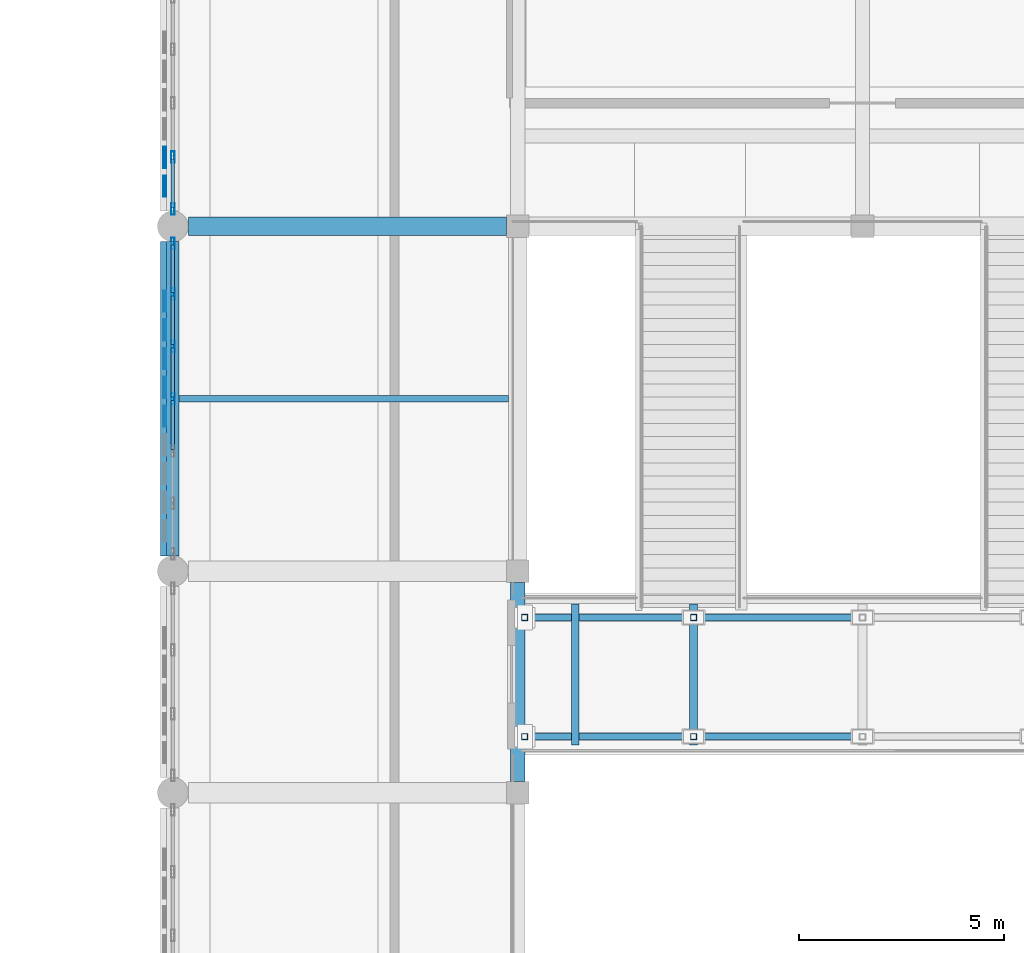
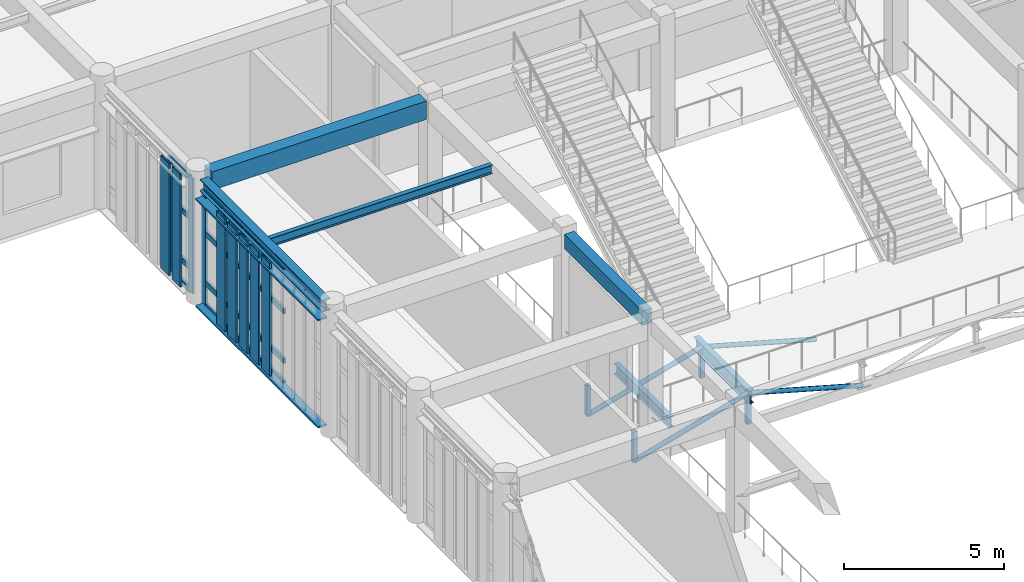
# One storey, part 32 of 106: 43 members, 6 beams, 2 elements without a shape of their own.
"""IFC4 building model written with IfcOpenShell, lengths in metres."""

from ifc_helpers import new_model, si_unit, direction, frame, origin, origin_2d, place, context, subcontext, project, spatial, rectangle, hollow_rectangle, hollow_circle, i_section, extrude, material, layer, layer_set, material_profile, profile_set, type_object, element, aggregate, save


model = new_model("IFC4")

# Units and contexts
model_context = context("Model", 3, precision=1e-05, world=origin(), true_north=direction((0.0, 1.0)))
body_context = subcontext(model_context, "Body", "Model", "MODEL_VIEW")
ifc_project = project(units=[si_unit("LENGTHUNIT", "METRE"), si_unit("AREAUNIT", "SQUARE_METRE"), si_unit("VOLUMEUNIT", "CUBIC_METRE"), si_unit("PLANEANGLEUNIT", "RADIAN"), si_unit("MASSUNIT", "GRAM", prefix="KILO")], contexts=[model_context])

# Site, building, storey
site_placement = place(None, origin())
site = spatial("IfcSite", under=ifc_project, at=site_placement, CompositionType="ELEMENT")
building_placement = place(site_placement, origin())
building = spatial("IfcBuilding", under=site, at=building_placement, Name="Krzemoval Escarpment Law Courts", CompositionType="ELEMENT")
storey_placement = place(building_placement, frame((0.0, 0.0, 5.10009765625)))
storey = spatial("IfcBuildingStorey", under=building, at=storey_placement, Name="L01", CompositionType="ELEMENT", Elevation=5.10009765625)

# Beams
ifc_material_1 = material(Name="Concrete C40/50", Category="concrete")
ifc_material_profile_1 = material_profile(ifc_material_1, rectangle(XDim=0.35009765625, YDim=0.550048828125, at=origin_2d()), Name="RCB 350x550")
ifc_profile_set_1 = profile_set([ifc_material_profile_1], Name="Concrete C40/50")
beam_type_1 = type_object("IfcBeamType", Name="BM-RC-350x550", PredefinedType="BEAM", material=ifc_profile_set_1)
beam_1_placement = place(storey_placement, frame((16.800048828125, 80.074951171875, 4.544921875), z_axis=(0.0, 1.0, 0.0), x_axis=(-1.0, 0.0, 0.0)))
element("IfcBeam", 1, at=beam_1_placement, inside=storey, type_object=beam_type_1, Name="Beam FG-L01-1404", PredefinedType="BEAM", context=body_context, shape_type="SweptSolid", body=[
    extrude(rectangle(XDim=0.35009765625, YDim=0.550048828125, at=origin_2d()), origin(), (0.0, 0.0, 1.0), 4.85009765625),
])
ifc_material_2 = material(Name="Concrete C40/50", Category="concrete")
ifc_material_profile_2 = material_profile(ifc_material_2, rectangle(XDim=0.449951171875, YDim=0.699951171875, at=origin_2d()), Name="RCB 450x700")
ifc_profile_set_2 = profile_set([ifc_material_profile_2], Name="Concrete C40/50")
beam_type_2 = type_object("IfcBeamType", Name="BM-RC-450x700", PredefinedType="BEAM", material=ifc_profile_set_2)
beam_2_placement = place(storey_placement, frame((8.77490234375, 93.60009765625, 4.469970703125), z_axis=(1.0, 0.0, 0.0), x_axis=(0.0, 1.0, 0.0)))
element("IfcBeam", 2, at=beam_2_placement, inside=storey, type_object=beam_type_2, Name="Beam FG-L01-1288", PredefinedType="BEAM", context=body_context, shape_type="SweptSolid", body=[
    extrude(rectangle(XDim=0.449951171875, YDim=0.699951171875, at=origin_2d()), origin(), (0.0, 0.0, 1.0), 7.75),
])
ifc_material_3 = material(Name="Steel S355", Category="steel")
ifc_material_profile_3 = material_profile(ifc_material_3, i_section(OverallWidth=0.179931640625, OverallDepth=0.39990234375, WebThickness=0.008544921875, FlangeThickness=0.013427734375, at=origin_2d()), Name="IPE 400")
ifc_profile_set_3 = profile_set([ifc_material_profile_3], Name="Steel S355")
beam_type_3 = type_object("IfcBeamType", Name="BM-S355-IPE400", PredefinedType="BEAM", material=ifc_profile_set_3)
beam_3_placement = place(storey_placement, frame((18.199951171875, 80.969970703125, -0.5), z_axis=(0.0, 1.0, 0.0), x_axis=(-1.0, 0.0, 0.0)))
element("IfcBeam", 3, at=beam_3_placement, inside=storey, type_object=beam_type_3, Name="Bridge Cross Beam BBMN-L01-01", PredefinedType="BEAM", context=body_context, shape_type="SweptSolid", body=[
    extrude(i_section(OverallWidth=0.179931640625, OverallDepth=0.39990234375, WebThickness=0.008544921875, FlangeThickness=0.013427734375, at=origin_2d()), origin(), (0.0, 0.0, 1.0), 3.429931640625),
])
ifc_material_4 = material(Name="Steel S355", Category="steel")
ifc_material_profile_4 = material_profile(ifc_material_4, i_section(OverallWidth=0.199951171875, OverallDepth=0.5, WebThickness=0.01025390625, FlangeThickness=0.01611328125, at=origin_2d()), Name="IPE 500")
ifc_profile_set_4 = profile_set([ifc_material_profile_4], Name="Steel S355")
beam_type_4 = type_object("IfcBeamType", Name="BM-S355-IPE500", PredefinedType="BEAM", material=ifc_profile_set_4)
beam_4_placement = place(storey_placement, frame((21.0849609375, 80.969970703125, -0.550048828125), z_axis=(0.0, 1.0, 0.0), x_axis=(-1.0, 0.0, 0.0)))
element("IfcBeam", 4, at=beam_4_placement, inside=storey, type_object=beam_type_4, Name="Bridge Cross Beam BBMN-L01-02", PredefinedType="BEAM", context=body_context, shape_type="SweptSolid", body=[
    extrude(i_section(OverallWidth=0.199951171875, OverallDepth=0.5, WebThickness=0.01025390625, FlangeThickness=0.01611328125, at=origin_2d()), origin(), (0.0, 0.0, 1.0), 3.429931640625),
])

# Curtain wall, members
ifc_material_5 = material(Name="Aluminium 6063-T6", Category="aluminium")
ifc_layer = layer(ifc_material_5, 0.280029296875)
ifc_layer_set = layer_set([ifc_layer], Name="Aluminium 6063-T6")
curtain_wall_type = type_object("IfcCurtainWallType", Name="CW-HALL-5100", PredefinedType="USERDEFINED", material=ifc_layer_set)
curtain_wall_1_placement = place(storey_placement, origin())
curtain_wall_1 = element("IfcCurtainWall", 5, at=curtain_wall_1_placement, inside=storey, type_object=curtain_wall_type, Name="Unitised Curtain Wall FCW-L01-029", ObjectType="UNITISED_CURTAIN_WALL", PredefinedType="USERDEFINED")
ifc_material_6 = material(Name="Aluminium 6063-T6", Category="aluminium")
ifc_material_profile_5 = material_profile(ifc_material_6, hollow_rectangle(XDim=0.0849609375, YDim=0.280029296875, WallThickness=0.005615234375, at=origin_2d()), Name="ALU M85x280")
ifc_profile_set_5 = profile_set([ifc_material_profile_5], Name="Aluminium 6063-T6")
member_type_1 = type_object("IfcMemberType", Name="CWM-85x280", PredefinedType="MULLION", material=ifc_profile_set_5)
member_1_placement = place(storey_placement, frame((8.39990234375, 89.39990234375, 0.0), z_axis=(0.0, 0.0, 1.0), x_axis=(-1.0, 0.0, 0.0)))
member_1 = element("IfcMember", 6, at=member_1_placement, type_object=member_type_1, Name="FCW-L01-029 mullion 4", PredefinedType="MULLION", context=body_context, shape_type="SweptSolid", body=[
    extrude(hollow_rectangle(XDim=0.0849609375, YDim=0.280029296875, WallThickness=0.005615234375, at=origin_2d()), origin(), (0.0, 0.0, 1.0), 4.369873046875),
])
member_2_placement = place(storey_placement, frame((8.39990234375, 90.675048828125, 0.0), z_axis=(0.0, 0.0, 1.0), x_axis=(-1.0, 0.0, 0.0)))
member_2 = element("IfcMember", 7, at=member_2_placement, type_object=member_type_1, Name="FCW-L01-029 mullion 5", PredefinedType="MULLION", context=body_context, shape_type="SweptSolid", body=[
    extrude(hollow_rectangle(XDim=0.0849609375, YDim=0.280029296875, WallThickness=0.005615234375, at=origin_2d()), origin(), (0.0, 0.0, 1.0), 4.369873046875),
])
member_3_placement = place(storey_placement, frame((8.39990234375, 91.949951171875, 0.0), z_axis=(0.0, 0.0, 1.0), x_axis=(-1.0, 0.0, 0.0)))
member_3 = element("IfcMember", 8, at=member_3_placement, type_object=member_type_1, Name="FCW-L01-029 mullion 6", PredefinedType="MULLION", context=body_context, shape_type="SweptSolid", body=[
    extrude(hollow_rectangle(XDim=0.0849609375, YDim=0.280029296875, WallThickness=0.005615234375, at=origin_2d()), origin(), (0.0, 0.0, 1.0), 4.369873046875),
])
member_4_placement = place(storey_placement, frame((8.39990234375, 93.1826171875, 0.0), z_axis=(0.0, 0.0, 1.0), x_axis=(-1.0, 0.0, 0.0)))
member_4 = element("IfcMember", 9, at=member_4_placement, type_object=member_type_1, Name="FCW-L01-029 mullion 7", PredefinedType="MULLION", context=body_context, shape_type="SweptSolid", body=[
    extrude(hollow_rectangle(XDim=0.0849609375, YDim=0.280029296875, WallThickness=0.005615234375, at=origin_2d()), origin(), (0.0, 0.0, 1.0), 4.369873046875),
])

curtain_wall_2_placement = place(storey_placement, origin())
curtain_wall_2 = element("IfcCurtainWall", 10, at=curtain_wall_2_placement, inside=storey, type_object=curtain_wall_type, Name="Unitised Curtain Wall FCW-L01-030", ObjectType="UNITISED_CURTAIN_WALL", PredefinedType="USERDEFINED")
member_5_placement = place(storey_placement, frame((8.39990234375, 94.017578125, 0.0), z_axis=(0.0, 0.0, 1.0), x_axis=(-1.0, 0.0, 0.0)))
member_5 = element("IfcMember", 11, at=member_5_placement, type_object=member_type_1, Name="FCW-L01-030 mullion 1", PredefinedType="MULLION", context=body_context, shape_type="SweptSolid", body=[
    extrude(hollow_rectangle(XDim=0.0849609375, YDim=0.280029296875, WallThickness=0.005615234375, at=origin_2d()), origin(), (0.0, 0.0, 1.0), 4.369873046875),
])
member_6_placement = place(storey_placement, frame((8.39990234375, 95.28759765625, 0.0), z_axis=(0.0, 0.0, 1.0), x_axis=(-1.0, 0.0, 0.0)))
member_6 = element("IfcMember", 12, at=member_6_placement, type_object=member_type_1, Name="FCW-L01-030 mullion 2", PredefinedType="MULLION", context=body_context, shape_type="SweptSolid", body=[
    extrude(hollow_rectangle(XDim=0.0849609375, YDim=0.280029296875, WallThickness=0.005615234375, at=origin_2d()), origin(), (0.0, 0.0, 1.0), 4.369873046875),
])

# Member
ifc_material_7 = material(Name="Aluminium 6063-T6", Category="aluminium")
ifc_material_profile_6 = material_profile(ifc_material_7, hollow_rectangle(XDim=0.0849609375, YDim=0.2099609375, WallThickness=0.005615234375, at=origin_2d()), Name="ALU T85x210")
ifc_profile_set_6 = profile_set([ifc_material_profile_6], Name="Aluminium 6063-T6")
member_type_2 = type_object("IfcMemberType", Name="CWT-85x210", PredefinedType="USERDEFINED", material=ifc_profile_set_6)
member_7_placement = place(storey_placement, frame((8.39990234375, 88.16748046875, 0.04248046875), z_axis=(0.0, 1.0, 0.0), x_axis=(-1.0, 0.0, 0.0)))
member_7 = element("IfcMember", 13, at=member_7_placement, type_object=member_type_2, Name="FCW-L01-029 transom 3.1", ObjectType="TRANSOM", PredefinedType="USERDEFINED", context=body_context, shape_type="SweptSolid", body=[
    extrude(hollow_rectangle(XDim=0.0849609375, YDim=0.2099609375, WallThickness=0.005615234375, at=origin_2d()), origin(), (0.0, 0.0, 1.0), 1.18994140625),
])

member_8_placement = place(storey_placement, frame((8.39990234375, 88.16748046875, 0.89990234375), z_axis=(0.0, 1.0, 0.0), x_axis=(-1.0, 0.0, 0.0)))
member_8 = element("IfcMember", 14, at=member_8_placement, type_object=member_type_2, Name="FCW-L01-029 transom 3.2", ObjectType="TRANSOM", PredefinedType="USERDEFINED", context=body_context, shape_type="SweptSolid", body=[
    extrude(hollow_rectangle(XDim=0.0849609375, YDim=0.2099609375, WallThickness=0.005615234375, at=origin_2d()), origin(), (0.0, 0.0, 1.0), 1.18994140625),
])

member_9_placement = place(storey_placement, frame((8.39990234375, 88.16748046875, 2.7998046875), z_axis=(0.0, 1.0, 0.0), x_axis=(-1.0, 0.0, 0.0)))
member_9 = element("IfcMember", 15, at=member_9_placement, type_object=member_type_2, Name="FCW-L01-029 transom 3.3", ObjectType="TRANSOM", PredefinedType="USERDEFINED", context=body_context, shape_type="SweptSolid", body=[
    extrude(hollow_rectangle(XDim=0.0849609375, YDim=0.2099609375, WallThickness=0.005615234375, at=origin_2d()), origin(), (0.0, 0.0, 1.0), 1.18994140625),
])

member_10_placement = place(storey_placement, frame((8.39990234375, 88.16748046875, 4.327392578125), z_axis=(0.0, 1.0, 0.0), x_axis=(-1.0, 0.0, 0.0)))
member_10 = element("IfcMember", 16, at=member_10_placement, type_object=member_type_2, Name="FCW-L01-029 transom 3.4", ObjectType="TRANSOM", PredefinedType="USERDEFINED", context=body_context, shape_type="SweptSolid", body=[
    extrude(hollow_rectangle(XDim=0.0849609375, YDim=0.2099609375, WallThickness=0.005615234375, at=origin_2d()), origin(), (0.0, 0.0, 1.0), 1.18994140625),
])

member_11_placement = place(storey_placement, frame((8.39990234375, 89.4423828125, 0.04248046875), z_axis=(0.0, 1.0, 0.0), x_axis=(-1.0, 0.0, 0.0)))
member_11 = element("IfcMember", 17, at=member_11_placement, type_object=member_type_2, Name="FCW-L01-029 transom 4.1", ObjectType="TRANSOM", PredefinedType="USERDEFINED", context=body_context, shape_type="SweptSolid", body=[
    extrude(hollow_rectangle(XDim=0.0849609375, YDim=0.2099609375, WallThickness=0.005615234375, at=origin_2d()), origin(), (0.0, 0.0, 1.0), 1.190185546875),
])

member_12_placement = place(storey_placement, frame((8.39990234375, 89.4423828125, 0.89990234375), z_axis=(0.0, 1.0, 0.0), x_axis=(-1.0, 0.0, 0.0)))
member_12 = element("IfcMember", 18, at=member_12_placement, type_object=member_type_2, Name="FCW-L01-029 transom 4.2", ObjectType="TRANSOM", PredefinedType="USERDEFINED", context=body_context, shape_type="SweptSolid", body=[
    extrude(hollow_rectangle(XDim=0.0849609375, YDim=0.2099609375, WallThickness=0.005615234375, at=origin_2d()), origin(), (0.0, 0.0, 1.0), 1.190185546875),
])

member_13_placement = place(storey_placement, frame((8.39990234375, 89.4423828125, 2.7998046875), z_axis=(0.0, 1.0, 0.0), x_axis=(-1.0, 0.0, 0.0)))
member_13 = element("IfcMember", 19, at=member_13_placement, type_object=member_type_2, Name="FCW-L01-029 transom 4.3", ObjectType="TRANSOM", PredefinedType="USERDEFINED", context=body_context, shape_type="SweptSolid", body=[
    extrude(hollow_rectangle(XDim=0.0849609375, YDim=0.2099609375, WallThickness=0.005615234375, at=origin_2d()), origin(), (0.0, 0.0, 1.0), 1.190185546875),
])

member_14_placement = place(storey_placement, frame((8.39990234375, 89.4423828125, 4.327392578125), z_axis=(0.0, 1.0, 0.0), x_axis=(-1.0, 0.0, 0.0)))
member_14 = element("IfcMember", 20, at=member_14_placement, type_object=member_type_2, Name="FCW-L01-029 transom 4.4", ObjectType="TRANSOM", PredefinedType="USERDEFINED", context=body_context, shape_type="SweptSolid", body=[
    extrude(hollow_rectangle(XDim=0.0849609375, YDim=0.2099609375, WallThickness=0.005615234375, at=origin_2d()), origin(), (0.0, 0.0, 1.0), 1.190185546875),
])

member_15_placement = place(storey_placement, frame((8.39990234375, 90.717529296875, 0.04248046875), z_axis=(0.0, 1.0, 0.0), x_axis=(-1.0, 0.0, 0.0)))
member_15 = element("IfcMember", 21, at=member_15_placement, type_object=member_type_2, Name="FCW-L01-029 transom 5.1", ObjectType="TRANSOM", PredefinedType="USERDEFINED", context=body_context, shape_type="SweptSolid", body=[
    extrude(hollow_rectangle(XDim=0.0849609375, YDim=0.2099609375, WallThickness=0.005615234375, at=origin_2d()), origin(), (0.0, 0.0, 1.0), 1.18994140625),
])

member_16_placement = place(storey_placement, frame((8.39990234375, 90.717529296875, 0.89990234375), z_axis=(0.0, 1.0, 0.0), x_axis=(-1.0, 0.0, 0.0)))
member_16 = element("IfcMember", 22, at=member_16_placement, type_object=member_type_2, Name="FCW-L01-029 transom 5.2", ObjectType="TRANSOM", PredefinedType="USERDEFINED", context=body_context, shape_type="SweptSolid", body=[
    extrude(hollow_rectangle(XDim=0.0849609375, YDim=0.2099609375, WallThickness=0.005615234375, at=origin_2d()), origin(), (0.0, 0.0, 1.0), 1.18994140625),
])

member_17_placement = place(storey_placement, frame((8.39990234375, 90.717529296875, 2.7998046875), z_axis=(0.0, 1.0, 0.0), x_axis=(-1.0, 0.0, 0.0)))
member_17 = element("IfcMember", 23, at=member_17_placement, type_object=member_type_2, Name="FCW-L01-029 transom 5.3", ObjectType="TRANSOM", PredefinedType="USERDEFINED", context=body_context, shape_type="SweptSolid", body=[
    extrude(hollow_rectangle(XDim=0.0849609375, YDim=0.2099609375, WallThickness=0.005615234375, at=origin_2d()), origin(), (0.0, 0.0, 1.0), 1.18994140625),
])

member_18_placement = place(storey_placement, frame((8.39990234375, 90.717529296875, 4.327392578125), z_axis=(0.0, 1.0, 0.0), x_axis=(-1.0, 0.0, 0.0)))
member_18 = element("IfcMember", 24, at=member_18_placement, type_object=member_type_2, Name="FCW-L01-029 transom 5.4", ObjectType="TRANSOM", PredefinedType="USERDEFINED", context=body_context, shape_type="SweptSolid", body=[
    extrude(hollow_rectangle(XDim=0.0849609375, YDim=0.2099609375, WallThickness=0.005615234375, at=origin_2d()), origin(), (0.0, 0.0, 1.0), 1.18994140625),
])

member_19_placement = place(storey_placement, frame((8.39990234375, 91.992431640625, 0.04248046875), z_axis=(0.0, 1.0, 0.0), x_axis=(-1.0, 0.0, 0.0)))
member_19 = element("IfcMember", 25, at=member_19_placement, type_object=member_type_2, Name="FCW-L01-029 transom 6.1", ObjectType="TRANSOM", PredefinedType="USERDEFINED", context=body_context, shape_type="SweptSolid", body=[
    extrude(hollow_rectangle(XDim=0.0849609375, YDim=0.2099609375, WallThickness=0.005615234375, at=origin_2d()), origin(), (0.0, 0.0, 1.0), 1.1474609375),
])

member_20_placement = place(storey_placement, frame((8.39990234375, 91.992431640625, 0.89990234375), z_axis=(0.0, 1.0, 0.0), x_axis=(-1.0, 0.0, 0.0)))
member_20 = element("IfcMember", 26, at=member_20_placement, type_object=member_type_2, Name="FCW-L01-029 transom 6.2", ObjectType="TRANSOM", PredefinedType="USERDEFINED", context=body_context, shape_type="SweptSolid", body=[
    extrude(hollow_rectangle(XDim=0.0849609375, YDim=0.2099609375, WallThickness=0.005615234375, at=origin_2d()), origin(), (0.0, 0.0, 1.0), 1.1474609375),
])

member_21_placement = place(storey_placement, frame((8.39990234375, 91.992431640625, 2.7998046875), z_axis=(0.0, 1.0, 0.0), x_axis=(-1.0, 0.0, 0.0)))
member_21 = element("IfcMember", 27, at=member_21_placement, type_object=member_type_2, Name="FCW-L01-029 transom 6.3", ObjectType="TRANSOM", PredefinedType="USERDEFINED", context=body_context, shape_type="SweptSolid", body=[
    extrude(hollow_rectangle(XDim=0.0849609375, YDim=0.2099609375, WallThickness=0.005615234375, at=origin_2d()), origin(), (0.0, 0.0, 1.0), 1.1474609375),
])

member_22_placement = place(storey_placement, frame((8.39990234375, 91.992431640625, 4.327392578125), z_axis=(0.0, 1.0, 0.0), x_axis=(-1.0, 0.0, 0.0)))
member_22 = element("IfcMember", 28, at=member_22_placement, type_object=member_type_2, Name="FCW-L01-029 transom 6.4", ObjectType="TRANSOM", PredefinedType="USERDEFINED", context=body_context, shape_type="SweptSolid", body=[
    extrude(hollow_rectangle(XDim=0.0849609375, YDim=0.2099609375, WallThickness=0.005615234375, at=origin_2d()), origin(), (0.0, 0.0, 1.0), 1.1474609375),
])

aggregate(curtain_wall_1, [member_1, member_2, member_3, member_4, member_7, member_8, member_9, member_10, member_11, member_12, member_13, member_14, member_15, member_16, member_17, member_18, member_19, member_20, member_21, member_22])

member_23_placement = place(storey_placement, frame((8.39990234375, 94.06005859375, 0.04248046875), z_axis=(0.0, 1.0, 0.0), x_axis=(-1.0, 0.0, 0.0)))
member_23 = element("IfcMember", 29, at=member_23_placement, type_object=member_type_2, Name="FCW-L01-030 transom 1.1", ObjectType="TRANSOM", PredefinedType="USERDEFINED", context=body_context, shape_type="SweptSolid", body=[
    extrude(hollow_rectangle(XDim=0.0849609375, YDim=0.2099609375, WallThickness=0.005615234375, at=origin_2d()), origin(), (0.0, 0.0, 1.0), 1.18505859375),
])

member_24_placement = place(storey_placement, frame((8.39990234375, 94.06005859375, 0.89990234375), z_axis=(0.0, 1.0, 0.0), x_axis=(-1.0, 0.0, 0.0)))
member_24 = element("IfcMember", 30, at=member_24_placement, type_object=member_type_2, Name="FCW-L01-030 transom 1.2", ObjectType="TRANSOM", PredefinedType="USERDEFINED", context=body_context, shape_type="SweptSolid", body=[
    extrude(hollow_rectangle(XDim=0.0849609375, YDim=0.2099609375, WallThickness=0.005615234375, at=origin_2d()), origin(), (0.0, 0.0, 1.0), 1.18505859375),
])

member_25_placement = place(storey_placement, frame((8.39990234375, 94.06005859375, 2.7998046875), z_axis=(0.0, 1.0, 0.0), x_axis=(-1.0, 0.0, 0.0)))
member_25 = element("IfcMember", 31, at=member_25_placement, type_object=member_type_2, Name="FCW-L01-030 transom 1.3", ObjectType="TRANSOM", PredefinedType="USERDEFINED", context=body_context, shape_type="SweptSolid", body=[
    extrude(hollow_rectangle(XDim=0.0849609375, YDim=0.2099609375, WallThickness=0.005615234375, at=origin_2d()), origin(), (0.0, 0.0, 1.0), 1.18505859375),
])

member_26_placement = place(storey_placement, frame((8.39990234375, 94.06005859375, 4.327392578125), z_axis=(0.0, 1.0, 0.0), x_axis=(-1.0, 0.0, 0.0)))
member_26 = element("IfcMember", 32, at=member_26_placement, type_object=member_type_2, Name="FCW-L01-030 transom 1.4", ObjectType="TRANSOM", PredefinedType="USERDEFINED", context=body_context, shape_type="SweptSolid", body=[
    extrude(hollow_rectangle(XDim=0.0849609375, YDim=0.2099609375, WallThickness=0.005615234375, at=origin_2d()), origin(), (0.0, 0.0, 1.0), 1.18505859375),
])

aggregate(curtain_wall_2, [member_5, member_6, member_23, member_24, member_25, member_26])

# Beam
ifc_material_8 = material(Name="Steel S355", Category="steel")
ifc_material_profile_7 = material_profile(ifc_material_8, i_section(OverallWidth=0.159912109375, OverallDepth=0.330078125, WebThickness=0.007568359375, FlangeThickness=0.011474609375, at=origin_2d()), Name="IPE 330")
ifc_profile_set_7 = profile_set([ifc_material_profile_7], Name="Steel S355")
beam_type_5 = type_object("IfcBeamType", Name="JST-S355-IPE330", PredefinedType="JOIST", material=ifc_profile_set_7)
beam_5_placement = place(storey_placement, frame((8.550048828125, 89.39990234375, 4.65478515625), z_axis=(1.0, 0.0, 0.0), x_axis=(0.0, 1.0, 0.0)))
element("IfcBeam", 33, at=beam_5_placement, inside=storey, type_object=beam_type_5, Name="Secondary Joist FJ-L01-1609", PredefinedType="JOIST", context=body_context, shape_type="SweptSolid", body=[
    extrude(i_section(OverallWidth=0.159912109375, OverallDepth=0.330078125, WebThickness=0.007568359375, FlangeThickness=0.011474609375, at=origin_2d()), origin(), (0.0, 0.0, 1.0), 8.02490234375),
])

# Members
ifc_material_9 = material(Name="Anodised Aluminium Alloy 6063-T6", Category="aluminium")
ifc_material_profile_8 = material_profile(ifc_material_9, hollow_rectangle(XDim=0.06005859375, YDim=0.320068359375, WallThickness=0.00390625, at=origin_2d()), Name="ALU LVR 60x320")
ifc_profile_set_8 = profile_set([ifc_material_profile_8], Name="Anodised Aluminium Alloy 6063-T6")
member_type_3 = type_object("IfcMemberType", Name="LVR-ALU-320", PredefinedType="USERDEFINED", material=ifc_profile_set_8)
for number, where, z_axis, x_axis, name in (
    (34, (8.260009765625, 85.574951171875, 0.02978515625), (0.0, 1.0, 0.0), (0.0, 0.0, 1.0), "Sunshade Support Rail FSR-L01-0066"),
    (35, (8.260009765625, 85.574951171875, 4.119873046875), (0.0, 1.0, 0.0), (0.0, 0.0, 1.0), "Sunshade Support Rail FSR-L01-0067"),
):
    element("IfcMember", number, at=place(storey_placement, frame(where, z_axis=z_axis, x_axis=x_axis)), inside=storey, type_object=member_type_3, Name=name, ObjectType="SUNSHADE_LOUVRE", PredefinedType="USERDEFINED", context=body_context, shape_type="SweptSolid", body=[
        extrude(hollow_rectangle(XDim=0.06005859375, YDim=0.320068359375, WallThickness=0.00390625, at=origin_2d()), origin(), (0.0, 0.0, 1.0), 7.650146484375),
    ])
ifc_material_10 = material(Name="Anodised Aluminium Alloy 6063-T6", Category="aluminium")
ifc_material_profile_9 = material_profile(ifc_material_10, hollow_rectangle(XDim=0.06494140625, YDim=0.52001953125, WallThickness=0.00439453125, at=origin_2d()), Name="ALU LVR 65x520")
ifc_profile_set_9 = profile_set([ifc_material_profile_9], Name="Anodised Aluminium Alloy 6063-T6")
member_type_4 = type_object("IfcMemberType", Name="LVR-ALU-520", PredefinedType="USERDEFINED", material=ifc_profile_set_9)
for number, where, z_axis, x_axis, name in (
    (36, (8.199951171875, 88.97509765625, 0.059814453125), (0.0, 0.0, 1.0), (1.0, 0.0, 0.0), "Sunshade Louvre Fin FLV-L01-0072"),
    (37, (8.199951171875, 89.675048828125, 0.059814453125), (0.0, 0.0, 1.0), (1.0, 0.0, 0.0), "Sunshade Louvre Fin FLV-L01-0073"),
    (38, (8.199951171875, 90.375, 0.059814453125), (0.0, 0.0, 1.0), (1.0, 0.0, 0.0), "Sunshade Louvre Fin FLV-L01-0074"),
    (39, (8.199951171875, 91.074951171875, 0.059814453125), (0.0, 0.0, 1.0), (1.0, 0.0, 0.0), "Sunshade Louvre Fin FLV-L01-0075"),
    (40, (8.199951171875, 91.77490234375, 0.059814453125), (0.0, 0.0, 1.0), (1.0, 0.0, 0.0), "Sunshade Louvre Fin FLV-L01-0076"),
    (41, (8.199951171875, 94.574951171875, 0.059814453125), (0.0, 0.0, 1.0), (1.0, 0.0, 0.0), "Sunshade Louvre Fin FLV-L01-0079"),
    (42, (8.199951171875, 95.27490234375, 0.059814453125), (0.0, 0.0, 1.0), (1.0, 0.0, 0.0), "Sunshade Louvre Fin FLV-L01-0080"),
):
    element("IfcMember", number, at=place(storey_placement, frame(where, z_axis=z_axis, x_axis=x_axis)), inside=storey, type_object=member_type_4, Name=name, ObjectType="SUNSHADE_LOUVRE", PredefinedType="USERDEFINED", context=body_context, shape_type="SweptSolid", body=[
        extrude(hollow_rectangle(XDim=0.06494140625, YDim=0.52001953125, WallThickness=0.00439453125, at=origin_2d()), origin(), (0.0, 0.0, 1.0), 4.31005859375),
    ])
ifc_material_11 = material(Name="Steel S355", Category="steel")
ifc_material_profile_10 = material_profile(ifc_material_11, hollow_circle(Radius=0.084228515625, WallThickness=0.008056640625, at=origin_2d()), Name="CHS 168.3x8")
ifc_profile_set_10 = profile_set([ifc_material_profile_10], Name="Steel S355")
member_type_5 = type_object("IfcMemberType", Name="MBR-BRC-CHS168", PredefinedType="BRACE", material=ifc_profile_set_10)
for number, where, z_axis, x_axis, name in (
    (43, (16.969970703125, 81.169921875, -1.670166015625), (0.963088538909, 0.0, 0.269184817965), (0.0, 1.0, 0.0), "Bridge Truss Diagonal BBR-0163"),
    (44, (21.0849609375, 81.169921875, -0.52001953125), (0.963088538909, 0.0, -0.269184817965), (0.0, 1.0, 0.0), "Bridge Truss Diagonal BBR-0164"),
    (45, (16.969970703125, 84.070068359375, -1.670166015625), (0.963088538909, 0.0, 0.269184817965), (0.0, 1.0, 0.0), "Bridge Truss Diagonal BBR-0174"),
    (46, (21.0849609375, 84.070068359375, -0.52001953125), (0.963088538909, 0.0, -0.269184817965), (0.0, 1.0, 0.0), "Bridge Truss Diagonal BBR-0175"),
):
    element("IfcMember", number, at=place(storey_placement, frame(where, z_axis=z_axis, x_axis=x_axis)), inside=storey, type_object=member_type_5, Name=name, PredefinedType="BRACE", context=body_context, shape_type="SweptSolid", body=[
        extrude(hollow_circle(Radius=0.084228515625, WallThickness=0.008056640625, at=origin_2d()), origin(), (0.0, 0.0, 1.0), 4.272705078125),
    ])
ifc_material_12 = material(Name="Steel S355", Category="steel")
ifc_material_profile_11 = material_profile(ifc_material_12, hollow_rectangle(XDim=0.14990234375, YDim=0.14990234375, WallThickness=0.008056640625, at=origin_2d()), Name="SHS 150x150x8")
ifc_profile_set_11 = profile_set([ifc_material_profile_11], Name="Steel S355")
member_type_6 = type_object("IfcMemberType", Name="MBR-STR-SHS150", PredefinedType="STRUT", material=ifc_profile_set_11)
for number, where, z_axis, x_axis, name in (
    (47, (16.969970703125, 81.169921875, -1.670166015625), (0.0, 0.0, 1.0), (1.0, 0.0, 0.0), "Bridge Truss Strut BST-0167"),
    (48, (21.0849609375, 81.169921875, -1.670166015625), (0.0, 0.0, 1.0), (1.0, 0.0, 0.0), "Bridge Truss Strut BST-0168"),
    (49, (16.969970703125, 84.070068359375, -1.670166015625), (0.0, 0.0, 1.0), (1.0, 0.0, 0.0), "Bridge Truss Strut BST-0178"),
    (50, (21.0849609375, 84.070068359375, -1.670166015625), (0.0, 0.0, 1.0), (1.0, 0.0, 0.0), "Bridge Truss Strut BST-0179"),
):
    element("IfcMember", number, at=place(storey_placement, frame(where, z_axis=z_axis, x_axis=x_axis)), inside=storey, type_object=member_type_6, Name=name, PredefinedType="STRUT", context=body_context, shape_type="SweptSolid", body=[
        extrude(hollow_rectangle(XDim=0.14990234375, YDim=0.14990234375, WallThickness=0.008056640625, at=origin_2d()), origin(), (0.0, 0.0, 1.0), 1.150146484375),
    ])

# Beam
ifc_material_13 = material(Name="Steel S355", Category="steel")
ifc_material_profile_12 = material_profile(ifc_material_13, i_section(OverallWidth=0.300048828125, OverallDepth=0.449951171875, WebThickness=0.013916015625, FlangeThickness=0.02587890625, at=origin_2d()), Name="HEB 450")
ifc_profile_set_12 = profile_set([ifc_material_profile_12], Name="Steel S355")
beam_type_6 = type_object("IfcBeamType", Name="SPN-S355-HEB450", PredefinedType="SPANDREL", material=ifc_profile_set_12)
beam_6_placement = place(storey_placement, frame((8.39990234375, 85.574951171875, 4.594970703125), z_axis=(0.0, 1.0, 0.0), x_axis=(-1.0, 0.0, 0.0)))
element("IfcBeam", 51, at=beam_6_placement, inside=storey, type_object=beam_type_6, Name="Beam FG-L01-1389", PredefinedType="SPANDREL", context=body_context, shape_type="SweptSolid", body=[
    extrude(i_section(OverallWidth=0.300048828125, OverallDepth=0.449951171875, WebThickness=0.013916015625, FlangeThickness=0.02587890625, at=origin_2d()), origin(), (0.0, 0.0, 1.0), 7.650146484375),
])

save(model, "model.ifc")
